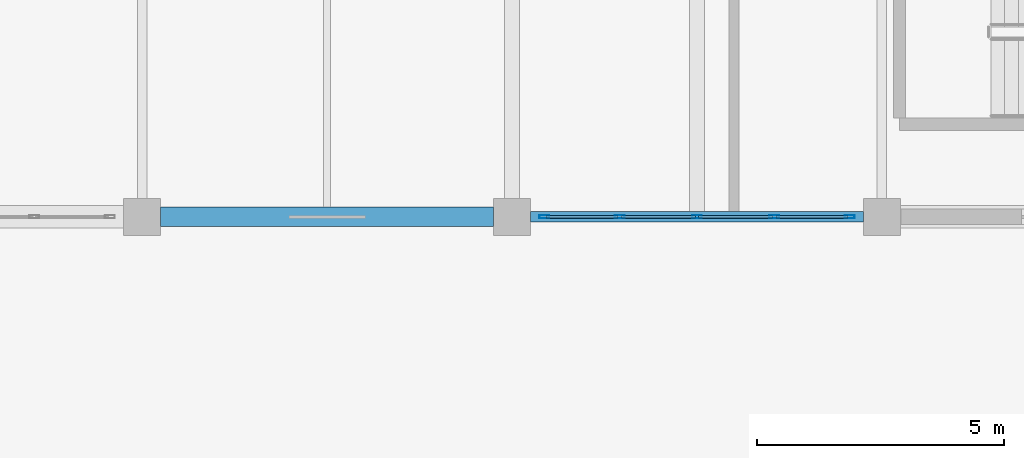
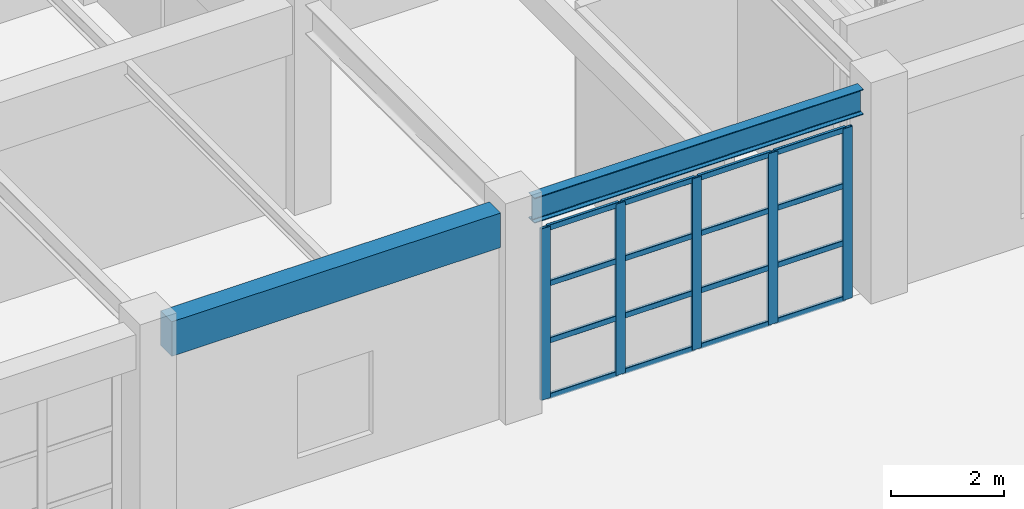
# One storey, part 63 of 122: 21 members, 2 beams, 1 element without a shape of its own.
"""IFC4 building model written with IfcOpenShell, lengths in metres."""

from ifc_helpers import new_model, si_unit, direction, frame, origin, origin_2d, place, context, subcontext, project, spatial, rectangle, hollow_rectangle, i_section, extrude, material, material_profile, profile_set, type_object, element, aggregate, save


model = new_model("IFC4")

# Units and contexts
model_context = context("Model", 3, precision=1e-05, world=origin(), true_north=direction((0.0, 1.0)))
body_context = subcontext(model_context, "Body", "Model", "MODEL_VIEW")
ifc_project = project(units=[si_unit("LENGTHUNIT", "METRE"), si_unit("AREAUNIT", "SQUARE_METRE"), si_unit("VOLUMEUNIT", "CUBIC_METRE"), si_unit("PLANEANGLEUNIT", "RADIAN"), si_unit("MASSUNIT", "GRAM", prefix="KILO")], contexts=[model_context])

# Site, building, storey
site_placement = place(None, origin())
site = spatial("IfcSite", under=ifc_project, at=site_placement, CompositionType="ELEMENT")
building_placement = place(site_placement, origin())
building = spatial("IfcBuilding", under=site, at=building_placement, Name="Qasida Concert Hall", CompositionType="ELEMENT")
storey_placement = place(building_placement, origin())
storey = spatial("IfcBuildingStorey", under=building, at=storey_placement, Name="L00", CompositionType="ELEMENT", Elevation=0.0)

# Beams
ifc_material_1 = material(Name="Concrete C40/50", Category="concrete")
ifc_material_profile_1 = material_profile(ifc_material_1, rectangle(XDim=0.39990234375, YDim=0.75, at=origin_2d()), Name="RC 400x750")
ifc_profile_set_1 = profile_set([ifc_material_profile_1], Name="Concrete C40/50")
beam_type_1 = type_object("IfcBeamType", Name="BM-SP1", PredefinedType="SPANDREL", material=ifc_profile_set_1)
beam_1_placement = place(storey_placement, frame((142.875, 75.0, 4.125), z_axis=(1.0, 0.0, 0.0), x_axis=(0.0, 1.0, 0.0)))
element("IfcBeam", 1, at=beam_1_placement, inside=storey, type_object=beam_type_1, Name="Primary girder 0592", PredefinedType="SPANDREL", context=body_context, shape_type="SweptSolid", body=[
    extrude(rectangle(XDim=0.39990234375, YDim=0.75, at=origin_2d()), origin(), (0.0, 0.0, 1.0), 6.75),
])
ifc_material_2 = material(Name="Steel S355J2", Category="steel")
ifc_material_profile_2 = material_profile(ifc_material_2, i_section(OverallWidth=0.2099609375, OverallDepth=0.550048828125, WebThickness=0.010986328125, FlangeThickness=0.01708984375, FilletRadius=0.02392578125, at=origin_2d()), Name="IPE 550")
ifc_profile_set_2 = profile_set([ifc_material_profile_2], Name="Steel S355J2")
beam_type_2 = type_object("IfcBeamType", Name="BM-SP2", PredefinedType="SPANDREL", material=ifc_profile_set_2)
beam_2_placement = place(storey_placement, frame((150.375, 75.0, 4.22509765625), z_axis=(1.0, 0.0, 0.0), x_axis=(0.0, 1.0, 0.0)))
element("IfcBeam", 2, at=beam_2_placement, inside=storey, type_object=beam_type_2, Name="Primary girder 0593", PredefinedType="SPANDREL", context=body_context, shape_type="SweptSolid", body=[
    extrude(i_section(OverallWidth=0.2099609375, OverallDepth=0.550048828125, WebThickness=0.010986328125, FlangeThickness=0.01708984375, FilletRadius=0.02392578125, at=origin_2d()), origin(), (0.0, 0.0, 1.0), 6.75),
])

# Curtain wall, members
ifc_material_3 = material(Name="Architectural bronze-anodized aluminium and low-E glass", Category="aluminium")
curtain_wall_type = type_object("IfcCurtainWallType", Name="CW-03", PredefinedType="NOTDEFINED", material=ifc_material_3)
curtain_wall_placement = place(storey_placement, origin())
curtain_wall = element("IfcCurtainWall", 3, at=curtain_wall_placement, inside=storey, type_object=curtain_wall_type, Name="L00 curtain wall CW-03 0155", PredefinedType="NOTDEFINED")
ifc_material_4 = material(Name="Architectural bronze-anodized aluminium EN AW-6063", Category="aluminium")
ifc_material_profile_3 = material_profile(ifc_material_4, hollow_rectangle(XDim=0.06494140625, YDim=0.199951171875, WallThickness=0.0048828125, InnerFilletRadius=0.0048828125, OuterFilletRadius=0.010009765625, at=origin_2d()), Name="CWM 200x65x5")
ifc_profile_set_3 = profile_set([ifc_material_profile_3], Name="Architectural bronze-anodized aluminium EN AW-6063")
member_type_1 = type_object("IfcMemberType", Name="MB-CWM-2", PredefinedType="MULLION", material=ifc_profile_set_3)
member_1_placement = place(storey_placement, frame((150.652587890625, 75.0, 0.0), z_axis=(0.0, 0.0, 1.0), x_axis=(0.0, 1.0, 0.0)))
member_1 = element("IfcMember", 4, at=member_1_placement, type_object=member_type_1, Name="CW-03 mullion 1", PredefinedType="MULLION", context=body_context, shape_type="SweptSolid", body=[
    extrude(hollow_rectangle(XDim=0.06494140625, YDim=0.199951171875, WallThickness=0.0048828125, InnerFilletRadius=0.0048828125, OuterFilletRadius=0.010009765625, at=origin_2d()), origin(), (0.0, 0.0, 1.0), 3.719970703125),
])
member_2_placement = place(storey_placement, frame((152.18505859375, 75.0, 0.0), z_axis=(0.0, 0.0, 1.0), x_axis=(0.0, 1.0, 0.0)))
member_2 = element("IfcMember", 5, at=member_2_placement, type_object=member_type_1, Name="CW-03 mullion 2", PredefinedType="MULLION", context=body_context, shape_type="SweptSolid", body=[
    extrude(hollow_rectangle(XDim=0.06494140625, YDim=0.199951171875, WallThickness=0.0048828125, InnerFilletRadius=0.0048828125, OuterFilletRadius=0.010009765625, at=origin_2d()), origin(), (0.0, 0.0, 1.0), 3.719970703125),
])
member_3_placement = place(storey_placement, frame((153.75, 75.0, 0.0), z_axis=(0.0, 0.0, 1.0), x_axis=(0.0, 1.0, 0.0)))
member_3 = element("IfcMember", 6, at=member_3_placement, type_object=member_type_1, Name="CW-03 mullion 3", PredefinedType="MULLION", context=body_context, shape_type="SweptSolid", body=[
    extrude(hollow_rectangle(XDim=0.06494140625, YDim=0.199951171875, WallThickness=0.0048828125, InnerFilletRadius=0.0048828125, OuterFilletRadius=0.010009765625, at=origin_2d()), origin(), (0.0, 0.0, 1.0), 3.719970703125),
])
member_4_placement = place(storey_placement, frame((155.31494140625, 75.0, 0.0), z_axis=(0.0, 0.0, 1.0), x_axis=(0.0, 1.0, 0.0)))
member_4 = element("IfcMember", 7, at=member_4_placement, type_object=member_type_1, Name="CW-03 mullion 4", PredefinedType="MULLION", context=body_context, shape_type="SweptSolid", body=[
    extrude(hollow_rectangle(XDim=0.06494140625, YDim=0.199951171875, WallThickness=0.0048828125, InnerFilletRadius=0.0048828125, OuterFilletRadius=0.010009765625, at=origin_2d()), origin(), (0.0, 0.0, 1.0), 3.719970703125),
])
member_5_placement = place(storey_placement, frame((156.847412109375, 75.0, 0.0), z_axis=(0.0, 0.0, 1.0), x_axis=(0.0, 1.0, 0.0)))
member_5 = element("IfcMember", 8, at=member_5_placement, type_object=member_type_1, Name="CW-03 mullion 5", PredefinedType="MULLION", context=body_context, shape_type="SweptSolid", body=[
    extrude(hollow_rectangle(XDim=0.06494140625, YDim=0.199951171875, WallThickness=0.0048828125, InnerFilletRadius=0.0048828125, OuterFilletRadius=0.010009765625, at=origin_2d()), origin(), (0.0, 0.0, 1.0), 3.719970703125),
])
ifc_material_profile_4 = material_profile(ifc_material_4, hollow_rectangle(XDim=0.06005859375, YDim=0.1201171875, WallThickness=0.00390625, InnerFilletRadius=0.00390625, OuterFilletRadius=0.008056640625, at=origin_2d()), Name="CWT 120x60x4")
ifc_profile_set_4 = profile_set([ifc_material_profile_4], Name="Architectural bronze-anodized aluminium EN AW-6063")
member_type_2 = type_object("IfcMemberType", Name="MB-CWT-2", PredefinedType="USERDEFINED", material=ifc_profile_set_4)
member_6_placement = place(storey_placement, frame((150.68505859375, 75.0, 0.030029296875), z_axis=(1.0, 0.0, 0.0), x_axis=(0.0, 1.0, 0.0)))
member_6 = element("IfcMember", 9, at=member_6_placement, type_object=member_type_2, Name="CW-03 transom 1.1", ObjectType="TRANSOM", PredefinedType="USERDEFINED", context=body_context, shape_type="SweptSolid", body=[
    extrude(hollow_rectangle(XDim=0.06005859375, YDim=0.1201171875, WallThickness=0.00390625, InnerFilletRadius=0.00390625, OuterFilletRadius=0.008056640625, at=origin_2d()), origin(), (0.0, 0.0, 1.0), 1.467529296875),
])
member_7_placement = place(storey_placement, frame((150.68505859375, 75.0, 1.239990234375), z_axis=(1.0, 0.0, 0.0), x_axis=(0.0, 1.0, 0.0)))
member_7 = element("IfcMember", 10, at=member_7_placement, type_object=member_type_2, Name="CW-03 transom 1.2", ObjectType="TRANSOM", PredefinedType="USERDEFINED", context=body_context, shape_type="SweptSolid", body=[
    extrude(hollow_rectangle(XDim=0.06005859375, YDim=0.1201171875, WallThickness=0.00390625, InnerFilletRadius=0.00390625, OuterFilletRadius=0.008056640625, at=origin_2d()), origin(), (0.0, 0.0, 1.0), 1.467529296875),
])
member_8_placement = place(storey_placement, frame((150.68505859375, 75.0, 2.47998046875), z_axis=(1.0, 0.0, 0.0), x_axis=(0.0, 1.0, 0.0)))
member_8 = element("IfcMember", 11, at=member_8_placement, type_object=member_type_2, Name="CW-03 transom 1.3", ObjectType="TRANSOM", PredefinedType="USERDEFINED", context=body_context, shape_type="SweptSolid", body=[
    extrude(hollow_rectangle(XDim=0.06005859375, YDim=0.1201171875, WallThickness=0.00390625, InnerFilletRadius=0.00390625, OuterFilletRadius=0.008056640625, at=origin_2d()), origin(), (0.0, 0.0, 1.0), 1.467529296875),
])
member_9_placement = place(storey_placement, frame((150.68505859375, 75.0, 3.68994140625), z_axis=(1.0, 0.0, 0.0), x_axis=(0.0, 1.0, 0.0)))
member_9 = element("IfcMember", 12, at=member_9_placement, type_object=member_type_2, Name="CW-03 transom 1.4", ObjectType="TRANSOM", PredefinedType="USERDEFINED", context=body_context, shape_type="SweptSolid", body=[
    extrude(hollow_rectangle(XDim=0.06005859375, YDim=0.1201171875, WallThickness=0.00390625, InnerFilletRadius=0.00390625, OuterFilletRadius=0.008056640625, at=origin_2d()), origin(), (0.0, 0.0, 1.0), 1.467529296875),
])
member_10_placement = place(storey_placement, frame((152.217529296875, 75.0, 0.030029296875), z_axis=(1.0, 0.0, 0.0), x_axis=(0.0, 1.0, 0.0)))
member_10 = element("IfcMember", 13, at=member_10_placement, type_object=member_type_2, Name="CW-03 transom 2.1", ObjectType="TRANSOM", PredefinedType="USERDEFINED", context=body_context, shape_type="SweptSolid", body=[
    extrude(hollow_rectangle(XDim=0.06005859375, YDim=0.1201171875, WallThickness=0.00390625, InnerFilletRadius=0.00390625, OuterFilletRadius=0.008056640625, at=origin_2d()), origin(), (0.0, 0.0, 1.0), 1.5),
])
member_11_placement = place(storey_placement, frame((152.217529296875, 75.0, 1.239990234375), z_axis=(1.0, 0.0, 0.0), x_axis=(0.0, 1.0, 0.0)))
member_11 = element("IfcMember", 14, at=member_11_placement, type_object=member_type_2, Name="CW-03 transom 2.2", ObjectType="TRANSOM", PredefinedType="USERDEFINED", context=body_context, shape_type="SweptSolid", body=[
    extrude(hollow_rectangle(XDim=0.06005859375, YDim=0.1201171875, WallThickness=0.00390625, InnerFilletRadius=0.00390625, OuterFilletRadius=0.008056640625, at=origin_2d()), origin(), (0.0, 0.0, 1.0), 1.5),
])
member_12_placement = place(storey_placement, frame((152.217529296875, 75.0, 2.47998046875), z_axis=(1.0, 0.0, 0.0), x_axis=(0.0, 1.0, 0.0)))
member_12 = element("IfcMember", 15, at=member_12_placement, type_object=member_type_2, Name="CW-03 transom 2.3", ObjectType="TRANSOM", PredefinedType="USERDEFINED", context=body_context, shape_type="SweptSolid", body=[
    extrude(hollow_rectangle(XDim=0.06005859375, YDim=0.1201171875, WallThickness=0.00390625, InnerFilletRadius=0.00390625, OuterFilletRadius=0.008056640625, at=origin_2d()), origin(), (0.0, 0.0, 1.0), 1.5),
])
member_13_placement = place(storey_placement, frame((152.217529296875, 75.0, 3.68994140625), z_axis=(1.0, 0.0, 0.0), x_axis=(0.0, 1.0, 0.0)))
member_13 = element("IfcMember", 16, at=member_13_placement, type_object=member_type_2, Name="CW-03 transom 2.4", ObjectType="TRANSOM", PredefinedType="USERDEFINED", context=body_context, shape_type="SweptSolid", body=[
    extrude(hollow_rectangle(XDim=0.06005859375, YDim=0.1201171875, WallThickness=0.00390625, InnerFilletRadius=0.00390625, OuterFilletRadius=0.008056640625, at=origin_2d()), origin(), (0.0, 0.0, 1.0), 1.5),
])
member_14_placement = place(storey_placement, frame((153.782470703125, 75.0, 0.030029296875), z_axis=(1.0, 0.0, 0.0), x_axis=(0.0, 1.0, 0.0)))
member_14 = element("IfcMember", 17, at=member_14_placement, type_object=member_type_2, Name="CW-03 transom 3.1", ObjectType="TRANSOM", PredefinedType="USERDEFINED", context=body_context, shape_type="SweptSolid", body=[
    extrude(hollow_rectangle(XDim=0.06005859375, YDim=0.1201171875, WallThickness=0.00390625, InnerFilletRadius=0.00390625, OuterFilletRadius=0.008056640625, at=origin_2d()), origin(), (0.0, 0.0, 1.0), 1.5),
])
member_15_placement = place(storey_placement, frame((153.782470703125, 75.0, 1.239990234375), z_axis=(1.0, 0.0, 0.0), x_axis=(0.0, 1.0, 0.0)))
member_15 = element("IfcMember", 18, at=member_15_placement, type_object=member_type_2, Name="CW-03 transom 3.2", ObjectType="TRANSOM", PredefinedType="USERDEFINED", context=body_context, shape_type="SweptSolid", body=[
    extrude(hollow_rectangle(XDim=0.06005859375, YDim=0.1201171875, WallThickness=0.00390625, InnerFilletRadius=0.00390625, OuterFilletRadius=0.008056640625, at=origin_2d()), origin(), (0.0, 0.0, 1.0), 1.5),
])
member_16_placement = place(storey_placement, frame((153.782470703125, 75.0, 2.47998046875), z_axis=(1.0, 0.0, 0.0), x_axis=(0.0, 1.0, 0.0)))
member_16 = element("IfcMember", 19, at=member_16_placement, type_object=member_type_2, Name="CW-03 transom 3.3", ObjectType="TRANSOM", PredefinedType="USERDEFINED", context=body_context, shape_type="SweptSolid", body=[
    extrude(hollow_rectangle(XDim=0.06005859375, YDim=0.1201171875, WallThickness=0.00390625, InnerFilletRadius=0.00390625, OuterFilletRadius=0.008056640625, at=origin_2d()), origin(), (0.0, 0.0, 1.0), 1.5),
])
member_17_placement = place(storey_placement, frame((153.782470703125, 75.0, 3.68994140625), z_axis=(1.0, 0.0, 0.0), x_axis=(0.0, 1.0, 0.0)))
member_17 = element("IfcMember", 20, at=member_17_placement, type_object=member_type_2, Name="CW-03 transom 3.4", ObjectType="TRANSOM", PredefinedType="USERDEFINED", context=body_context, shape_type="SweptSolid", body=[
    extrude(hollow_rectangle(XDim=0.06005859375, YDim=0.1201171875, WallThickness=0.00390625, InnerFilletRadius=0.00390625, OuterFilletRadius=0.008056640625, at=origin_2d()), origin(), (0.0, 0.0, 1.0), 1.5),
])
member_18_placement = place(storey_placement, frame((155.347412109375, 75.0, 0.030029296875), z_axis=(1.0, 0.0, 0.0), x_axis=(0.0, 1.0, 0.0)))
member_18 = element("IfcMember", 21, at=member_18_placement, type_object=member_type_2, Name="CW-03 transom 4.1", ObjectType="TRANSOM", PredefinedType="USERDEFINED", context=body_context, shape_type="SweptSolid", body=[
    extrude(hollow_rectangle(XDim=0.06005859375, YDim=0.1201171875, WallThickness=0.00390625, InnerFilletRadius=0.00390625, OuterFilletRadius=0.008056640625, at=origin_2d()), origin(), (0.0, 0.0, 1.0), 1.467529296875),
])
member_19_placement = place(storey_placement, frame((155.347412109375, 75.0, 1.239990234375), z_axis=(1.0, 0.0, 0.0), x_axis=(0.0, 1.0, 0.0)))
member_19 = element("IfcMember", 22, at=member_19_placement, type_object=member_type_2, Name="CW-03 transom 4.2", ObjectType="TRANSOM", PredefinedType="USERDEFINED", context=body_context, shape_type="SweptSolid", body=[
    extrude(hollow_rectangle(XDim=0.06005859375, YDim=0.1201171875, WallThickness=0.00390625, InnerFilletRadius=0.00390625, OuterFilletRadius=0.008056640625, at=origin_2d()), origin(), (0.0, 0.0, 1.0), 1.467529296875),
])
member_20_placement = place(storey_placement, frame((155.347412109375, 75.0, 2.47998046875), z_axis=(1.0, 0.0, 0.0), x_axis=(0.0, 1.0, 0.0)))
member_20 = element("IfcMember", 23, at=member_20_placement, type_object=member_type_2, Name="CW-03 transom 4.3", ObjectType="TRANSOM", PredefinedType="USERDEFINED", context=body_context, shape_type="SweptSolid", body=[
    extrude(hollow_rectangle(XDim=0.06005859375, YDim=0.1201171875, WallThickness=0.00390625, InnerFilletRadius=0.00390625, OuterFilletRadius=0.008056640625, at=origin_2d()), origin(), (0.0, 0.0, 1.0), 1.467529296875),
])
member_21_placement = place(storey_placement, frame((155.347412109375, 75.0, 3.68994140625), z_axis=(1.0, 0.0, 0.0), x_axis=(0.0, 1.0, 0.0)))
member_21 = element("IfcMember", 24, at=member_21_placement, type_object=member_type_2, Name="CW-03 transom 4.4", ObjectType="TRANSOM", PredefinedType="USERDEFINED", context=body_context, shape_type="SweptSolid", body=[
    extrude(hollow_rectangle(XDim=0.06005859375, YDim=0.1201171875, WallThickness=0.00390625, InnerFilletRadius=0.00390625, OuterFilletRadius=0.008056640625, at=origin_2d()), origin(), (0.0, 0.0, 1.0), 1.467529296875),
])
aggregate(curtain_wall, [member_1, member_2, member_3, member_4, member_5, member_6, member_7, member_8, member_9, member_10, member_11, member_12, member_13, member_14, member_15, member_16, member_17, member_18, member_19, member_20, member_21])

save(model, "model.ifc")
